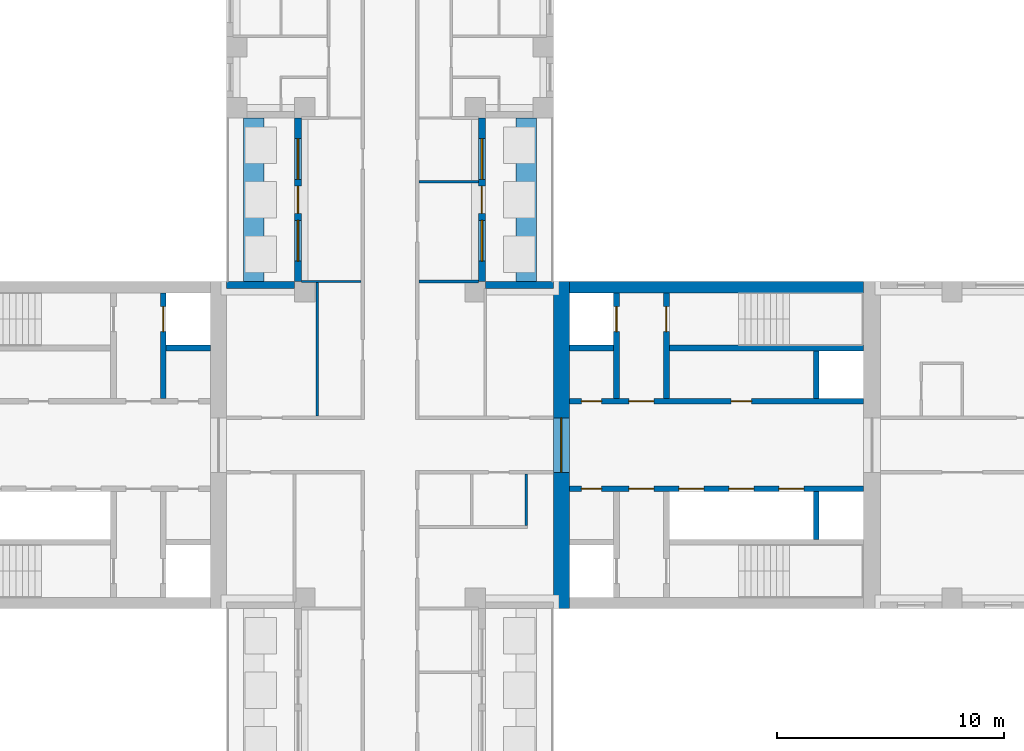
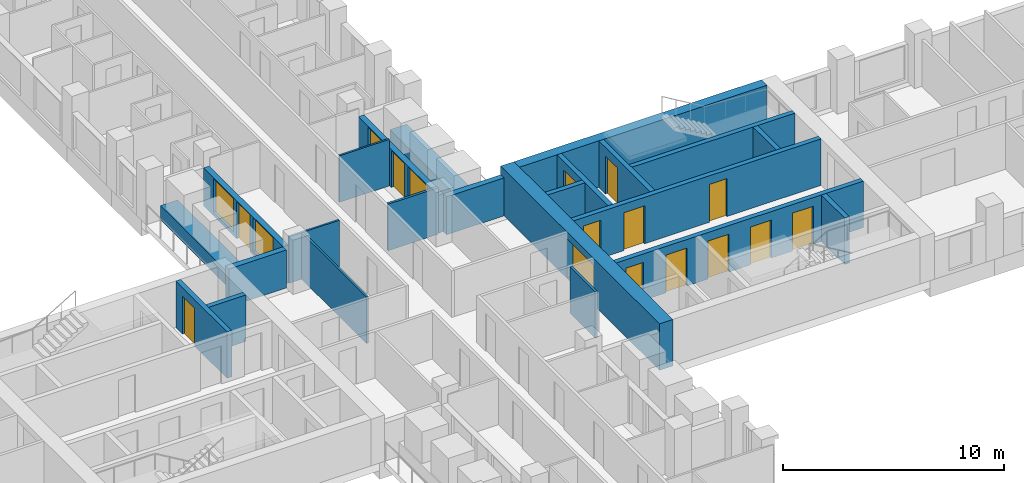
# One storey, part 8 of 15: 23 walls, 14 doors, 4 windows, 18 openings.
"""IFC4 building model written with IfcOpenShell, lengths in metres."""

from ifc_helpers import new_model, si_unit, direction, frame, frame_2d, origin, place, context, subcontext, project, spatial, rectangle, extrude, material, layer, layer_set, type_object, element, fill, save


model = new_model("IFC4")

# Units and contexts
model_context = context("Model", 3, precision=1e-05, world=origin(), true_north=direction((0.0, 1.0)))
body_context = subcontext(model_context, "Body", "Model", "MODEL_VIEW")
ifc_project = project(units=[si_unit("LENGTHUNIT", "METRE"), si_unit("AREAUNIT", "SQUARE_METRE"), si_unit("VOLUMEUNIT", "CUBIC_METRE"), si_unit("PLANEANGLEUNIT", "RADIAN"), si_unit("MASSUNIT", "GRAM", prefix="KILO")], contexts=[model_context])

# Site, building, storey
site_placement = place(None, origin())
site = spatial("IfcSite", under=ifc_project, at=site_placement, CompositionType="ELEMENT")
building_placement = place(site_placement, origin())
building = spatial("IfcBuilding", under=site, at=building_placement, Name="Fustian Cross Tower", CompositionType="ELEMENT")
storey_placement = place(building_placement, frame((0.0, 0.0, 11.699951171875)))
storey = spatial("IfcBuildingStorey", under=building, at=storey_placement, Name="L02", CompositionType="ELEMENT", Elevation=11.699951171875)

# Wall, opening, door
ifc_material_1 = material(Name="Concrete C80/95", Category="concrete")
ifc_layer_1 = layer(ifc_material_1, 0.699951171875)
ifc_layer_set_1 = layer_set([ifc_layer_1], Name="Concrete C80/95")
wall_type_1 = type_object("IfcWallType", Name="CORE END WALL 700 C80/95", PredefinedType="SHEAR", material=ifc_layer_set_1)
wall_1_placement = place(storey_placement, frame((7.550048828125, -7.199951171875, 0.0), z_axis=(0.0, 0.0, 1.0), x_axis=(0.0, 1.0, 0.0)))
wall_1 = element("IfcWall", 1, at=wall_1_placement, inside=storey, type_object=wall_type_1, Name="Core end wall", PredefinedType="SHEAR", context=body_context, shape_type="SweptSolid", body=[
    extrude(rectangle(XDim=14.39990234375, YDim=0.699951171875, at=frame_2d((7.199951171875, 0.0))), origin(), (0.0, 0.0, 1.0), 2.574951171875),
])
opening_1_placement = place(wall_1_placement, frame((6.0, 0.0, 0.0)))
opening_1 = element("IfcOpeningElement", 2, at=opening_1_placement, cuts=wall_1, Name="Opening CD-04-12", PredefinedType="OPENING", context=body_context, shape_type="SweptSolid", body=[
    extrude(rectangle(XDim=2.39990234375, YDim=2.199951171875, at=frame_2d((1.199951171875, 1.10009765625))), frame((0.0, 0.35986328125, 0.0), z_axis=(0.0, -1.0, 0.0), x_axis=(1.0, 0.0, 0.0)), (0.0, 0.0, 1.0), 0.719970703125),
])
ifc_material_2 = material(Name="Steel", Category="steel")
door_type_1 = type_object("IfcDoorType", Name="FIRE DOOR FD30S DOUBLE 2400X2200", OperationType="DOUBLE_DOOR_DOUBLE_SWING", PredefinedType="DOOR", material=ifc_material_2)
door_1_placement = place(opening_1_placement, frame((2.39990234375, 0.0, 0.0), z_axis=(0.0, 0.0, 1.0), x_axis=(-1.0, 0.0, 0.0)))
door_1 = element("IfcDoor", 3, at=door_1_placement, inside=storey, type_object=door_type_1, Name="Core door CD-04-12", OperationType="DOUBLE_DOOR_DOUBLE_SWING", OverallHeight=2.199951171875, OverallWidth=2.39990234375, PredefinedType="DOOR", context=body_context, shape_type="SweptSolid", body=[
    extrude(rectangle(XDim=2.39990234375, YDim=2.199951171875, at=frame_2d((1.199951171875, 1.10009765625))), frame((0.0, 0.02490234375, 0.0), z_axis=(0.0, -1.0, 0.0), x_axis=(1.0, 0.0, 0.0)), (0.0, 0.0, 1.0), 0.050048828125),
])
fill(opening_1, door_1)

# Wall
ifc_material_3 = material(Name="Concrete C80/95", Category="concrete")
ifc_layer_2 = layer(ifc_material_3, 0.5)
ifc_layer_set_2 = layer_set([ifc_layer_2], Name="Concrete C80/95")
wall_type_2 = type_object("IfcWallType", Name="CORE FACADE WALL 500 C80/95", PredefinedType="SHEAR", material=ifc_layer_set_2)
wall_2_placement = place(storey_placement, frame((7.89990234375, 6.949951171875, 0.0), z_axis=(0.0, 0.0, 1.0), x_axis=(1.0, 0.0, 0.0)))
element("IfcWall", 4, at=wall_2_placement, inside=storey, type_object=wall_type_2, Name="Core facade wall", PredefinedType="SHEAR", context=body_context, shape_type="SweptSolid", body=[
    extrude(rectangle(XDim=12.9501953125, YDim=0.5, at=frame_2d((6.47509765625, 0.0))), origin(), (0.0, 0.0, 1.0), 2.574951171875),
])

# Wall, openings, doors
ifc_material_4 = material(Name="Concrete C50/60", Category="concrete")
ifc_layer_3 = layer(ifc_material_4, 0.25)
ifc_layer_set_3 = layer_set([ifc_layer_3], Name="Concrete C50/60")
wall_type_3 = type_object("IfcWallType", Name="CORE LOBBY WALL 250 C50/60", PredefinedType="SHEAR", material=ifc_layer_set_3)
wall_3_placement = place(storey_placement, frame((7.89990234375, 1.925048828125, 0.0), z_axis=(0.0, 0.0, 1.0), x_axis=(1.0, 0.0, 0.0)))
wall_3 = element("IfcWall", 5, at=wall_3_placement, inside=storey, type_object=wall_type_3, Name="Core lobby wall", PredefinedType="SHEAR", context=body_context, shape_type="SweptSolid", body=[
    extrude(rectangle(XDim=12.9501953125, YDim=0.25, at=frame_2d((6.47509765625, 0.0))), origin(), (0.0, 0.0, 1.0), 2.574951171875),
])
opening_2_placement = place(wall_3_placement, frame((0.52490234375, 0.0, 0.0)))
opening_2 = element("IfcOpeningElement", 6, at=opening_2_placement, cuts=wall_3, Name="Opening CD-04-08", PredefinedType="OPENING", context=body_context, shape_type="SweptSolid", body=[
    extrude(rectangle(XDim=0.89990234375, YDim=2.10009765625, at=frame_2d((0.449951171875, 1.050048828125))), frame((0.0, 0.135009765625, 0.0), z_axis=(0.0, -1.0, 0.0), x_axis=(1.0, 0.0, 0.0)), (0.0, 0.0, 1.0), 0.27001953125),
])
opening_3_placement = place(wall_3_placement, frame((2.625, 0.0, 0.0)))
opening_3 = element("IfcOpeningElement", 7, at=opening_3_placement, cuts=wall_3, Name="Opening CD-04-10", PredefinedType="OPENING", context=body_context, shape_type="SweptSolid", body=[
    extrude(rectangle(XDim=1.10009765625, YDim=2.10009765625, at=frame_2d((0.550048828125, 1.050048828125))), frame((0.0, 0.135009765625, 0.0), z_axis=(0.0, -1.0, 0.0), x_axis=(1.0, 0.0, 0.0)), (0.0, 0.0, 1.0), 0.27001953125),
])
opening_4_placement = place(wall_3_placement, frame((7.125, 0.0, 0.0)))
opening_4 = element("IfcOpeningElement", 8, at=opening_4_placement, cuts=wall_3, Name="Opening CD-04-14", PredefinedType="OPENING", context=body_context, shape_type="SweptSolid", body=[
    extrude(rectangle(XDim=0.89990234375, YDim=2.10009765625, at=frame_2d((0.449951171875, 1.050048828125))), frame((0.0, 0.135009765625, 0.0), z_axis=(0.0, -1.0, 0.0), x_axis=(1.0, 0.0, 0.0)), (0.0, 0.0, 1.0), 0.27001953125),
])
ifc_material_5 = material(Name="Steel", Category="steel")
door_type_2 = type_object("IfcDoorType", Name="FIRE DOOR FD30S 900X2100", OperationType="SINGLE_SWING_LEFT", PredefinedType="DOOR", material=ifc_material_5)
door_2_placement = place(opening_4_placement, origin())
door_2 = element("IfcDoor", 9, at=door_2_placement, inside=storey, type_object=door_type_2, Name="Core door CD-04-14", OperationType="SINGLE_SWING_LEFT", OverallHeight=2.10009765625, OverallWidth=0.89990234375, PredefinedType="DOOR", context=body_context, shape_type="SweptSolid", body=[
    extrude(rectangle(XDim=0.89990234375, YDim=2.10009765625, at=frame_2d((0.449951171875, 1.050048828125))), frame((0.0, 0.02490234375, 0.0), z_axis=(0.0, -1.0, 0.0), x_axis=(1.0, 0.0, 0.0)), (0.0, 0.0, 1.0), 0.050048828125),
])
fill(opening_4, door_2)
ifc_material_6 = material(Name="Steel", Category="steel")
door_type_3 = type_object("IfcDoorType", Name="FIRE DOOR FD60S 1100X2100", OperationType="SINGLE_SWING_LEFT", PredefinedType="DOOR", material=ifc_material_6)
door_3_placement = place(opening_3_placement, frame((1.10009765625, 0.0, 0.0), z_axis=(0.0, 0.0, 1.0), x_axis=(-1.0, 0.0, 0.0)))
door_3 = element("IfcDoor", 10, at=door_3_placement, inside=storey, type_object=door_type_3, Name="Core door CD-04-10", OperationType="SINGLE_SWING_RIGHT", OverallHeight=2.10009765625, OverallWidth=1.10009765625, PredefinedType="DOOR", context=body_context, shape_type="SweptSolid", body=[
    extrude(rectangle(XDim=1.10009765625, YDim=2.10009765625, at=frame_2d((0.550048828125, 1.050048828125))), frame((0.0, 0.02490234375, 0.0), z_axis=(0.0, -1.0, 0.0), x_axis=(1.0, 0.0, 0.0)), (0.0, 0.0, 1.0), 0.050048828125),
])
fill(opening_3, door_3)
ifc_material_7 = material(Name="Steel", Category="steel")
door_type_4 = type_object("IfcDoorType", Name="FIRE DOOR FD60S 900X2100", OperationType="SINGLE_SWING_LEFT", PredefinedType="DOOR", material=ifc_material_7)
door_4_placement = place(opening_2_placement, origin())
door_4 = element("IfcDoor", 11, at=door_4_placement, inside=storey, type_object=door_type_4, Name="Core door CD-04-08", OperationType="SINGLE_SWING_LEFT", OverallHeight=2.10009765625, OverallWidth=0.89990234375, PredefinedType="DOOR", context=body_context, shape_type="SweptSolid", body=[
    extrude(rectangle(XDim=0.89990234375, YDim=2.10009765625, at=frame_2d((0.449951171875, 1.050048828125))), frame((0.0, 0.02490234375, 0.0), z_axis=(0.0, -1.0, 0.0), x_axis=(1.0, 0.0, 0.0)), (0.0, 0.0, 1.0), 0.050048828125),
])
fill(opening_2, door_4)

wall_4_placement = place(storey_placement, frame((7.89990234375, -1.925048828125, 0.0), z_axis=(0.0, 0.0, 1.0), x_axis=(1.0, 0.0, 0.0)))
wall_4 = element("IfcWall", 12, at=wall_4_placement, inside=storey, type_object=wall_type_3, Name="Core lobby wall", PredefinedType="SHEAR", context=body_context, shape_type="SweptSolid", body=[
    extrude(rectangle(XDim=12.9501953125, YDim=0.25, at=frame_2d((6.47509765625, 0.0))), origin(), (0.0, 0.0, 1.0), 2.574951171875),
])
opening_5_placement = place(wall_4_placement, frame((4.824951171875, 0.0, 0.0)))
opening_5 = element("IfcOpeningElement", 13, at=opening_5_placement, cuts=wall_4, Name="Opening LD", PredefinedType="OPENING", context=body_context, shape_type="SweptSolid", body=[
    extrude(rectangle(XDim=1.10009765625, YDim=2.10009765625, at=frame_2d((0.550048828125, 1.050048828125))), frame((0.0, 0.135009765625, 0.0), z_axis=(0.0, -1.0, 0.0), x_axis=(1.0, 0.0, 0.0)), (0.0, 0.0, 1.0), 0.27001953125),
])
opening_6_placement = place(wall_4_placement, frame((7.02490234375, 0.0, 0.0)))
opening_6 = element("IfcOpeningElement", 14, at=opening_6_placement, cuts=wall_4, Name="Opening LD", PredefinedType="OPENING", context=body_context, shape_type="SweptSolid", body=[
    extrude(rectangle(XDim=1.10009765625, YDim=2.10009765625, at=frame_2d((0.550048828125, 1.050048828125))), frame((0.0, 0.135009765625, 0.0), z_axis=(0.0, -1.0, 0.0), x_axis=(1.0, 0.0, 0.0)), (0.0, 0.0, 1.0), 0.27001953125),
])
opening_7_placement = place(wall_4_placement, frame((9.22509765625, 0.0, 0.0)))
opening_7 = element("IfcOpeningElement", 15, at=opening_7_placement, cuts=wall_4, Name="Opening LD", PredefinedType="OPENING", context=body_context, shape_type="SweptSolid", body=[
    extrude(rectangle(XDim=1.10009765625, YDim=2.10009765625, at=frame_2d((0.550048828125, 1.050048828125))), frame((0.0, 0.135009765625, 0.0), z_axis=(0.0, -1.0, 0.0), x_axis=(1.0, 0.0, 0.0)), (0.0, 0.0, 1.0), 0.27001953125),
])
opening_8_placement = place(wall_4_placement, frame((0.52490234375, 0.0, 0.0)))
opening_8 = element("IfcOpeningElement", 16, at=opening_8_placement, cuts=wall_4, Name="Opening CD-04-09", PredefinedType="OPENING", context=body_context, shape_type="SweptSolid", body=[
    extrude(rectangle(XDim=0.89990234375, YDim=2.10009765625, at=frame_2d((0.449951171875, 1.050048828125))), frame((0.0, 0.135009765625, 0.0), z_axis=(0.0, -1.0, 0.0), x_axis=(1.0, 0.0, 0.0)), (0.0, 0.0, 1.0), 0.27001953125),
])
opening_9_placement = place(wall_4_placement, frame((2.625, 0.0, 0.0)))
opening_9 = element("IfcOpeningElement", 17, at=opening_9_placement, cuts=wall_4, Name="Opening CD-04-11", PredefinedType="OPENING", context=body_context, shape_type="SweptSolid", body=[
    extrude(rectangle(XDim=1.10009765625, YDim=2.10009765625, at=frame_2d((0.550048828125, 1.050048828125))), frame((0.0, 0.135009765625, 0.0), z_axis=(0.0, -1.0, 0.0), x_axis=(1.0, 0.0, 0.0)), (0.0, 0.0, 1.0), 0.27001953125),
])
ifc_material_8 = material(Name="Steel", Category="steel")
door_type_5 = type_object("IfcDoorType", Name="FIRE DOOR FD30S 1100X2100", OperationType="SINGLE_SWING_LEFT", PredefinedType="DOOR", material=ifc_material_8)
door_5_placement = place(opening_9_placement, frame((1.10009765625, 0.0, 0.0), z_axis=(0.0, 0.0, 1.0), x_axis=(-1.0, 0.0, 0.0)))
door_5 = element("IfcDoor", 18, at=door_5_placement, inside=storey, type_object=door_type_5, Name="Core door CD-04-11", OperationType="SINGLE_SWING_RIGHT", OverallHeight=2.10009765625, OverallWidth=1.10009765625, PredefinedType="DOOR", context=body_context, shape_type="SweptSolid", body=[
    extrude(rectangle(XDim=1.10009765625, YDim=2.10009765625, at=frame_2d((0.550048828125, 1.050048828125))), frame((0.0, 0.02490234375, 0.0), z_axis=(0.0, -1.0, 0.0), x_axis=(1.0, 0.0, 0.0)), (0.0, 0.0, 1.0), 0.050048828125),
])
fill(opening_9, door_5)
door_6_placement = place(opening_8_placement, frame((0.89990234375, 0.0, 0.0), z_axis=(0.0, 0.0, 1.0), x_axis=(-1.0, 0.0, 0.0)))
door_6 = element("IfcDoor", 19, at=door_6_placement, inside=storey, type_object=door_type_2, Name="Core door CD-04-09", OperationType="SINGLE_SWING_RIGHT", OverallHeight=2.10009765625, OverallWidth=0.89990234375, PredefinedType="DOOR", context=body_context, shape_type="SweptSolid", body=[
    extrude(rectangle(XDim=0.89990234375, YDim=2.10009765625, at=frame_2d((0.449951171875, 1.050048828125))), frame((0.0, 0.02490234375, 0.0), z_axis=(0.0, -1.0, 0.0), x_axis=(1.0, 0.0, 0.0)), (0.0, 0.0, 1.0), 0.050048828125),
])
fill(opening_8, door_6)
ifc_material_9 = material(Name="Stainless steel", Category="steel")
door_type_6 = type_object("IfcDoorType", Name="LIFT LANDING DOOR 1100X2100", OperationType="SLIDING_TO_LEFT", PredefinedType="DOOR", material=ifc_material_9)
door_7_placement = place(opening_5_placement, origin())
door_7 = element("IfcDoor", 20, at=door_7_placement, inside=storey, type_object=door_type_6, Name="Landing door LR1", OperationType="SLIDING_TO_LEFT", OverallHeight=2.10009765625, OverallWidth=1.10009765625, PredefinedType="DOOR", context=body_context, shape_type="SweptSolid", body=[
    extrude(rectangle(XDim=1.10009765625, YDim=2.10009765625, at=frame_2d((0.550048828125, 1.050048828125))), frame((0.0, 0.02490234375, 0.0), z_axis=(0.0, -1.0, 0.0), x_axis=(1.0, 0.0, 0.0)), (0.0, 0.0, 1.0), 0.050048828125),
])
fill(opening_5, door_7)
door_8_placement = place(opening_6_placement, origin())
door_8 = element("IfcDoor", 21, at=door_8_placement, inside=storey, type_object=door_type_6, Name="Landing door LR2", OperationType="SLIDING_TO_LEFT", OverallHeight=2.10009765625, OverallWidth=1.10009765625, PredefinedType="DOOR", context=body_context, shape_type="SweptSolid", body=[
    extrude(rectangle(XDim=1.10009765625, YDim=2.10009765625, at=frame_2d((0.550048828125, 1.050048828125))), frame((0.0, 0.02490234375, 0.0), z_axis=(0.0, -1.0, 0.0), x_axis=(1.0, 0.0, 0.0)), (0.0, 0.0, 1.0), 0.050048828125),
])
fill(opening_6, door_8)
door_9_placement = place(opening_7_placement, origin())
door_9 = element("IfcDoor", 22, at=door_9_placement, inside=storey, type_object=door_type_6, Name="Landing door LR3", OperationType="SLIDING_TO_LEFT", OverallHeight=2.10009765625, OverallWidth=1.10009765625, PredefinedType="DOOR", context=body_context, shape_type="SweptSolid", body=[
    extrude(rectangle(XDim=1.10009765625, YDim=2.10009765625, at=frame_2d((0.550048828125, 1.050048828125))), frame((0.0, 0.02490234375, 0.0), z_axis=(0.0, -1.0, 0.0), x_axis=(1.0, 0.0, 0.0)), (0.0, 0.0, 1.0), 0.050048828125),
])
fill(opening_7, door_9)

# Walls
ifc_material_10 = material(Name="Concrete C50/60", Category="concrete")
ifc_layer_4 = layer(ifc_material_10, 0.25)
ifc_layer_set_4 = layer_set([ifc_layer_4], Name="Concrete C50/60")
wall_type_4 = type_object("IfcWallType", Name="CORE SHAFT WALL 250 C50/60", PredefinedType="SHEAR", material=ifc_layer_set_4)
wall_5_placement = place(storey_placement, frame((7.89990234375, 4.27490234375, 0.0), z_axis=(0.0, 0.0, 1.0), x_axis=(1.0, 0.0, 0.0)))
element("IfcWall", 23, at=wall_5_placement, inside=storey, type_object=wall_type_4, Name="Core shaft wall", PredefinedType="SHEAR", context=body_context, shape_type="SweptSolid", body=[
    extrude(rectangle(XDim=1.9501953125, YDim=0.25, at=frame_2d((0.97509765625, 0.0))), origin(), (0.0, 0.0, 1.0), 2.574951171875),
])
wall_6_placement = place(storey_placement, frame((12.300048828125, 4.27490234375, 0.0), z_axis=(0.0, 0.0, 1.0), x_axis=(1.0, 0.0, 0.0)))
element("IfcWall", 24, at=wall_6_placement, inside=storey, type_object=wall_type_4, Name="Core shaft wall", PredefinedType="SHEAR", context=body_context, shape_type="SweptSolid", body=[
    extrude(rectangle(XDim=8.550048828125, YDim=0.25, at=frame_2d((4.27490234375, 0.0))), origin(), (0.0, 0.0, 1.0), 2.574951171875),
])

# Wall, opening, door
wall_7_placement = place(storey_placement, frame((9.97509765625, 2.050048828125, 0.0), z_axis=(0.0, 0.0, 1.0), x_axis=(0.0, 1.0, 0.0)))
wall_7 = element("IfcWall", 25, at=wall_7_placement, inside=storey, type_object=wall_type_4, Name="Core shaft wall", PredefinedType="SHEAR", context=body_context, shape_type="SweptSolid", body=[
    extrude(rectangle(XDim=4.64990234375, YDim=0.25, at=frame_2d((2.324951171875, 0.0))), origin(), (0.0, 0.0, 1.0), 2.574951171875),
])
opening_10_placement = place(wall_7_placement, frame((2.949951171875, 0.0, 0.0)))
opening_10 = element("IfcOpeningElement", 26, at=opening_10_placement, cuts=wall_7, Name="Opening LD", PredefinedType="OPENING", context=body_context, shape_type="SweptSolid", body=[
    extrude(rectangle(XDim=1.10009765625, YDim=2.10009765625, at=frame_2d((0.550048828125, 1.050048828125))), frame((0.0, 0.135009765625, 0.0), z_axis=(0.0, -1.0, 0.0), x_axis=(1.0, 0.0, 0.0)), (0.0, 0.0, 1.0), 0.27001953125),
])
door_10_placement = place(opening_10_placement, origin())
door_10 = element("IfcDoor", 27, at=door_10_placement, inside=storey, type_object=door_type_6, Name="Landing door FL1", OperationType="SLIDING_TO_LEFT", OverallHeight=2.10009765625, OverallWidth=1.10009765625, PredefinedType="DOOR", context=body_context, shape_type="SweptSolid", body=[
    extrude(rectangle(XDim=1.10009765625, YDim=2.10009765625, at=frame_2d((0.550048828125, 1.050048828125))), frame((0.0, 0.02490234375, 0.0), z_axis=(0.0, -1.0, 0.0), x_axis=(1.0, 0.0, 0.0)), (0.0, 0.0, 1.0), 0.050048828125),
])
fill(opening_10, door_10)

wall_8_placement = place(storey_placement, frame((12.175048828125, 2.050048828125, 0.0), z_axis=(0.0, 0.0, 1.0), x_axis=(0.0, 1.0, 0.0)))
wall_8 = element("IfcWall", 28, at=wall_8_placement, inside=storey, type_object=wall_type_4, Name="Core shaft wall", PredefinedType="SHEAR", context=body_context, shape_type="SweptSolid", body=[
    extrude(rectangle(XDim=4.64990234375, YDim=0.25, at=frame_2d((2.324951171875, 0.0))), origin(), (0.0, 0.0, 1.0), 2.574951171875),
])
opening_11_placement = place(wall_8_placement, frame((2.949951171875, 0.0, 0.0)))
opening_11 = element("IfcOpeningElement", 29, at=opening_11_placement, cuts=wall_8, Name="Opening CD-04-06", PredefinedType="OPENING", context=body_context, shape_type="SweptSolid", body=[
    extrude(rectangle(XDim=1.10009765625, YDim=2.10009765625, at=frame_2d((0.550048828125, 1.050048828125))), frame((0.0, 0.135009765625, 0.0), z_axis=(0.0, -1.0, 0.0), x_axis=(1.0, 0.0, 0.0)), (0.0, 0.0, 1.0), 0.27001953125),
])
door_11_placement = place(opening_11_placement, frame((1.10009765625, 0.0, 0.0), z_axis=(0.0, 0.0, 1.0), x_axis=(-1.0, 0.0, 0.0)))
door_11 = element("IfcDoor", 30, at=door_11_placement, inside=storey, type_object=door_type_3, Name="Core door CD-04-06", OperationType="SINGLE_SWING_RIGHT", OverallHeight=2.10009765625, OverallWidth=1.10009765625, PredefinedType="DOOR", context=body_context, shape_type="SweptSolid", body=[
    extrude(rectangle(XDim=1.10009765625, YDim=2.10009765625, at=frame_2d((0.550048828125, 1.050048828125))), frame((0.0, 0.02490234375, 0.0), z_axis=(0.0, -1.0, 0.0), x_axis=(1.0, 0.0, 0.0)), (0.0, 0.0, 1.0), 0.050048828125),
])
fill(opening_11, door_11)

# Wall
wall_9_placement = place(storey_placement, frame((-7.89990234375, 4.27490234375, 0.0), z_axis=(0.0, 0.0, 1.0), x_axis=(-1.0, 0.0, 0.0)))
element("IfcWall", 31, at=wall_9_placement, inside=storey, type_object=wall_type_4, Name="Core shaft wall", PredefinedType="SHEAR", context=body_context, shape_type="SweptSolid", body=[
    extrude(rectangle(XDim=1.9501953125, YDim=0.25, at=frame_2d((0.97509765625, 0.0))), origin(), (0.0, 0.0, 1.0), 2.574951171875),
])

# Wall, opening, door
wall_10_placement = place(storey_placement, frame((-9.97509765625, 2.050048828125, 0.0), z_axis=(0.0, 0.0, 1.0), x_axis=(0.0, 1.0, 0.0)))
wall_10 = element("IfcWall", 32, at=wall_10_placement, inside=storey, type_object=wall_type_4, Name="Core shaft wall", PredefinedType="SHEAR", context=body_context, shape_type="SweptSolid", body=[
    extrude(rectangle(XDim=4.64990234375, YDim=0.25, at=frame_2d((2.324951171875, 0.0))), origin(), (0.0, 0.0, 1.0), 2.574951171875),
])
opening_12_placement = place(wall_10_placement, frame((2.949951171875, 0.0, 0.0)))
opening_12 = element("IfcOpeningElement", 33, at=opening_12_placement, cuts=wall_10, Name="Opening LD", PredefinedType="OPENING", context=body_context, shape_type="SweptSolid", body=[
    extrude(rectangle(XDim=1.10009765625, YDim=2.10009765625, at=frame_2d((0.550048828125, 1.050048828125))), frame((0.0, 0.135009765625, 0.0), z_axis=(0.0, -1.0, 0.0), x_axis=(1.0, 0.0, 0.0)), (0.0, 0.0, 1.0), 0.27001953125),
])
door_12_placement = place(opening_12_placement, origin())
door_12 = element("IfcDoor", 34, at=door_12_placement, inside=storey, type_object=door_type_6, Name="Landing door FL1W", OperationType="SLIDING_TO_LEFT", OverallHeight=2.10009765625, OverallWidth=1.10009765625, PredefinedType="DOOR", context=body_context, shape_type="SweptSolid", body=[
    extrude(rectangle(XDim=1.10009765625, YDim=2.10009765625, at=frame_2d((0.550048828125, 1.050048828125))), frame((0.0, 0.02490234375, 0.0), z_axis=(0.0, -1.0, 0.0), x_axis=(1.0, 0.0, 0.0)), (0.0, 0.0, 1.0), 0.050048828125),
])
fill(opening_12, door_12)

# Walls
ifc_material_11 = material(Name="Plasterboard on steel stud", Category="steel")
ifc_layer_5 = layer(ifc_material_11, 0.10009765625)
ifc_layer_set_5 = layer_set([ifc_layer_5], Name="Plasterboard on steel stud")
wall_type_5 = type_object("IfcWallType", Name="PARTITION 100 STUD", PredefinedType="PARTITIONING", material=ifc_layer_set_5)
wall_11_placement = place(storey_placement, frame((-3.89990234375, 7.199951171875, 0.0), z_axis=(0.0, 0.0, 1.0), x_axis=(1.0, 0.0, 0.0)))
element("IfcWall", 35, at=wall_11_placement, inside=storey, type_object=wall_type_5, Name="Partition 47", PredefinedType="PARTITIONING", context=body_context, shape_type="SweptSolid", body=[
    extrude(rectangle(XDim=2.625, YDim=0.10009765625, at=frame_2d((1.3125, 0.0))), origin(), (0.0, 0.0, 1.0), 2.574951171875),
])
wall_12_placement = place(storey_placement, frame((-3.199951171875, 1.27490234375, 0.0), z_axis=(0.0, 0.0, 1.0), x_axis=(0.0, 1.0, 0.0)))
element("IfcWall", 36, at=wall_12_placement, inside=storey, type_object=wall_type_5, Name="Partition 49", PredefinedType="PARTITIONING", context=body_context, shape_type="SweptSolid", body=[
    extrude(rectangle(XDim=5.875, YDim=0.10009765625, at=frame_2d((2.9375, 0.0))), origin(), (0.0, 0.0, 1.0), 2.574951171875),
])
wall_13_placement = place(storey_placement, frame((1.27490234375, 11.60009765625, 0.0), z_axis=(0.0, 0.0, 1.0), x_axis=(1.0, 0.0, 0.0)))
element("IfcWall", 37, at=wall_13_placement, inside=storey, type_object=wall_type_5, Name="Partition 67", PredefinedType="PARTITIONING", context=body_context, shape_type="SweptSolid", body=[
    extrude(rectangle(XDim=2.625, YDim=0.10009765625, at=frame_2d((1.3125, 0.0))), origin(), (0.0, 0.0, 1.0), 2.574951171875),
])
ifc_material_12 = material(Name="Concrete C40/50", Category="concrete")
ifc_layer_6 = layer(ifc_material_12, 0.89990234375)
ifc_layer_set_6 = layer_set([ifc_layer_6], Name="Concrete C40/50")
wall_type_6 = type_object("IfcWallType", Name="PK1 PLANTER 900", PredefinedType="PARAPET", material=ifc_layer_set_6)
for number, where, z_axis, x_axis, name in (
    (38, (6.0, 7.199951171875, 0.0), (0.0, 0.0, 1.0), (0.0, 1.0, 0.0), "PLANTER"),
    (39, (-6.0, 7.199951171875, 0.0), (0.0, 0.0, 1.0), (0.0, 1.0, 0.0), "PLANTER"),
):
    element("IfcWall", number, at=place(storey_placement, frame(where, z_axis=z_axis, x_axis=x_axis)), inside=storey, type_object=wall_type_6, Name=name, PredefinedType="PARAPET", context=body_context, shape_type="SweptSolid", body=[
        extrude(rectangle(XDim=7.199951171875, YDim=0.89990234375, at=frame_2d((3.60009765625, 0.0))), origin(), (0.0, 0.0, 1.0), 0.800048828125),
    ])
ifc_material_13 = material(Name="Concrete C40/50", Category="concrete")
ifc_layer_7 = layer(ifc_material_13, 0.25)
ifc_layer_set_7 = layer_set([ifc_layer_7], Name="Concrete C40/50")
wall_type_7 = type_object("IfcWallType", Name="SHAFT PARTITION WALL 250 C40/50", PredefinedType="PARTITIONING", material=ifc_layer_set_7)
for number, where, z_axis, x_axis, name in (
    (40, (18.77490234375, 2.050048828125, 0.0), (0.0, 0.0, 1.0), (0.0, 1.0, 0.0), "Core shaft wall"),
    (41, (18.77490234375, -2.050048828125, 0.0), (0.0, 0.0, 1.0), (0.0, -1.0, 0.0), "Core shaft wall"),
):
    element("IfcWall", number, at=place(storey_placement, frame(where, z_axis=z_axis, x_axis=x_axis)), inside=storey, type_object=wall_type_7, Name=name, PredefinedType="PARTITIONING", context=body_context, shape_type="SweptSolid", body=[
        extrude(rectangle(XDim=2.099853515625, YDim=0.25, at=frame_2d((1.0498046875, 0.0))), origin(), (0.0, 0.0, 1.0), 2.574951171875),
    ])
ifc_material_14 = material(Name="Plasterboard on steel stud", Category="steel")
ifc_layer_8 = layer(ifc_material_14, 0.125)
ifc_layer_set_8 = layer_set([ifc_layer_8], Name="Plasterboard on steel stud")
wall_type_8 = type_object("IfcWallType", Name="WET WALL 125 STUD", PredefinedType="PARTITIONING", material=ifc_layer_set_8)
wall_14_placement = place(storey_placement, frame((1.27490234375, 7.199951171875, 0.0), z_axis=(0.0, 0.0, 1.0), x_axis=(1.0, 0.0, 0.0)))
element("IfcWall", 42, at=wall_14_placement, inside=storey, type_object=wall_type_8, Name="Partition 66", PredefinedType="PARTITIONING", context=body_context, shape_type="SweptSolid", body=[
    extrude(rectangle(XDim=2.625, YDim=0.125, at=frame_2d((1.3125, 0.0))), origin(), (0.0, 0.0, 1.0), 2.574951171875),
])
wall_15_placement = place(storey_placement, frame((6.0, -3.53759765625, 0.0), z_axis=(0.0, 0.0, 1.0), x_axis=(0.0, 1.0, 0.0)))
element("IfcWall", 43, at=wall_15_placement, inside=storey, type_object=wall_type_8, Name="Partition 98", PredefinedType="PARTITIONING", context=body_context, shape_type="SweptSolid", body=[
    extrude(rectangle(XDim=2.2626953125, YDim=0.125, at=frame_2d((1.13134765625, 0.0))), origin(), (0.0, 0.0, 1.0), 2.574951171875),
])
ifc_material_15 = material(Name="Dark aluminium cladding on insulated backing wall", Category="aluminium")
ifc_layer_9 = layer(ifc_material_15, 0.300048828125)
ifc_layer_set_9 = layer_set([ifc_layer_9], Name="Dark aluminium cladding on insulated backing wall")
wall_type_9 = type_object("IfcWallType", Name="XW1 EXTERNAL WALL 300", PredefinedType="SOLIDWALL", material=ifc_layer_set_9)
wall_16_placement = place(storey_placement, frame((7.199951171875, 7.050048828125, 0.0), z_axis=(0.0, 0.0, 1.0), x_axis=(-1.0, 0.0, 0.0)))
element("IfcWall", 44, at=wall_16_placement, inside=storey, type_object=wall_type_9, Name="External wall", PredefinedType="SOLIDWALL", context=body_context, shape_type="SweptSolid", body=[
    extrude(rectangle(XDim=3.0, YDim=0.300048828125, at=frame_2d((1.5, 0.0))), origin(), (0.0, 0.0, 1.0), 2.10009765625),
])

# Wall, openings, door, windows
wall_17_placement = place(storey_placement, frame((4.050048828125, 7.199951171875, 0.0), z_axis=(0.0, 0.0, 1.0), x_axis=(0.0, 1.0, 0.0)))
wall_17 = element("IfcWall", 45, at=wall_17_placement, inside=storey, type_object=wall_type_9, Name="External wall", PredefinedType="SOLIDWALL", context=body_context, shape_type="SweptSolid", body=[
    extrude(rectangle(XDim=7.199951171875, YDim=0.300048828125, at=frame_2d((3.60009765625, 0.0))), origin(), (0.0, 0.0, 1.0), 2.10009765625),
])
opening_13_placement = place(wall_17_placement, frame((3.0, 0.0, 0.0)))
opening_13 = element("IfcOpeningElement", 46, at=opening_13_placement, cuts=wall_17, Name="Opening XD1", PredefinedType="OPENING", context=body_context, shape_type="SweptSolid", body=[
    extrude(rectangle(XDim=1.199951171875, YDim=2.050048828125, at=frame_2d((0.60009765625, 1.02490234375))), frame((0.0, 0.159912109375, 0.0), z_axis=(0.0, -1.0, 0.0), x_axis=(1.0, 0.0, 0.0)), (0.0, 0.0, 1.0), 0.320068359375),
])
opening_14_placement = place(wall_17_placement, frame((0.89990234375, 0.0, 0.199951171875)))
opening_14 = element("IfcOpeningElement", 47, at=opening_14_placement, cuts=wall_17, Name="Opening WN2", PredefinedType="OPENING", context=body_context, shape_type="SweptSolid", body=[
    extrude(rectangle(XDim=1.800048828125, YDim=1.85009765625, at=frame_2d((0.89990234375, 0.925048828125))), frame((0.0, 0.159912109375, 0.0), z_axis=(0.0, -1.0, 0.0), x_axis=(1.0, 0.0, 0.0)), (0.0, 0.0, 1.0), 0.320068359375),
])
opening_15_placement = place(wall_17_placement, frame((4.5, 0.0, 0.199951171875)))
opening_15 = element("IfcOpeningElement", 48, at=opening_15_placement, cuts=wall_17, Name="Opening WN2", PredefinedType="OPENING", context=body_context, shape_type="SweptSolid", body=[
    extrude(rectangle(XDim=1.800048828125, YDim=1.85009765625, at=frame_2d((0.89990234375, 0.925048828125))), frame((0.0, 0.159912109375, 0.0), z_axis=(0.0, -1.0, 0.0), x_axis=(1.0, 0.0, 0.0)), (0.0, 0.0, 1.0), 0.320068359375),
])
ifc_material_16 = material(Name="Dark anodised aluminium and double glazing", Category="aluminium")
door_type_7 = type_object("IfcDoorType", Name="ED1 BALCONY DOOR 1200X2050", OperationType="SINGLE_SWING_LEFT", PredefinedType="DOOR", material=ifc_material_16)
door_13_placement = place(opening_13_placement, origin())
door_13 = element("IfcDoor", 49, at=door_13_placement, inside=storey, type_object=door_type_7, Name="Balcony door", OperationType="SINGLE_SWING_LEFT", OverallHeight=2.050048828125, OverallWidth=1.199951171875, PredefinedType="DOOR", context=body_context, shape_type="SweptSolid", body=[
    extrude(rectangle(XDim=1.199951171875, YDim=2.050048828125, at=frame_2d((0.60009765625, 1.02490234375))), frame((0.0, 0.02490234375, 0.0), z_axis=(0.0, -1.0, 0.0), x_axis=(1.0, 0.0, 0.0)), (0.0, 0.0, 1.0), 0.050048828125),
])
fill(opening_13, door_13)
ifc_material_17 = material(Name="Dark anodised aluminium and double glazing", Category="aluminium")
window_type = type_object("IfcWindowType", Name="WN2 WINDOW 1800X1850", PartitioningType="SINGLE_PANEL", PredefinedType="WINDOW", material=ifc_material_17)
window_1_placement = place(opening_14_placement, origin())
window_1 = element("IfcWindow", 50, at=window_1_placement, inside=storey, type_object=window_type, Name="Window", OverallHeight=1.85009765625, OverallWidth=1.800048828125, PartitioningType="SINGLE_PANEL", PredefinedType="WINDOW", context=body_context, shape_type="SweptSolid", body=[
    extrude(rectangle(XDim=1.800048828125, YDim=1.85009765625, at=frame_2d((0.89990234375, 0.925048828125))), frame((0.0, 0.030029296875, 0.0), z_axis=(0.0, -1.0, 0.0), x_axis=(1.0, 0.0, 0.0)), (0.0, 0.0, 1.0), 0.06005859375),
])
fill(opening_14, window_1)
window_2_placement = place(opening_15_placement, origin())
window_2 = element("IfcWindow", 51, at=window_2_placement, inside=storey, type_object=window_type, Name="Window", OverallHeight=1.85009765625, OverallWidth=1.800048828125, PartitioningType="SINGLE_PANEL", PredefinedType="WINDOW", context=body_context, shape_type="SweptSolid", body=[
    extrude(rectangle(XDim=1.800048828125, YDim=1.85009765625, at=frame_2d((0.89990234375, 0.925048828125))), frame((0.0, 0.030029296875, 0.0), z_axis=(0.0, -1.0, 0.0), x_axis=(1.0, 0.0, 0.0)), (0.0, 0.0, 1.0), 0.06005859375),
])
fill(opening_15, window_2)

wall_18_placement = place(storey_placement, frame((-4.050048828125, 14.39990234375, 0.0), z_axis=(0.0, 0.0, 1.0), x_axis=(0.0, -1.0, 0.0)))
wall_18 = element("IfcWall", 52, at=wall_18_placement, inside=storey, type_object=wall_type_9, Name="External wall", PredefinedType="SOLIDWALL", context=body_context, shape_type="SweptSolid", body=[
    extrude(rectangle(XDim=7.199951171875, YDim=0.300048828125, at=frame_2d((3.60009765625, 0.0))), origin(), (0.0, 0.0, 1.0), 2.10009765625),
])
opening_16_placement = place(wall_18_placement, frame((3.0, 0.0, 0.0)))
opening_16 = element("IfcOpeningElement", 53, at=opening_16_placement, cuts=wall_18, Name="Opening XD2", PredefinedType="OPENING", context=body_context, shape_type="SweptSolid", body=[
    extrude(rectangle(XDim=1.199951171875, YDim=2.050048828125, at=frame_2d((0.60009765625, 1.02490234375))), frame((0.0, 0.159912109375, 0.0), z_axis=(0.0, -1.0, 0.0), x_axis=(1.0, 0.0, 0.0)), (0.0, 0.0, 1.0), 0.320068359375),
])
opening_17_placement = place(wall_18_placement, frame((0.89990234375, 0.0, 0.199951171875)))
opening_17 = element("IfcOpeningElement", 54, at=opening_17_placement, cuts=wall_18, Name="Opening WN2", PredefinedType="OPENING", context=body_context, shape_type="SweptSolid", body=[
    extrude(rectangle(XDim=1.800048828125, YDim=1.85009765625, at=frame_2d((0.89990234375, 0.925048828125))), frame((0.0, 0.159912109375, 0.0), z_axis=(0.0, -1.0, 0.0), x_axis=(1.0, 0.0, 0.0)), (0.0, 0.0, 1.0), 0.320068359375),
])
opening_18_placement = place(wall_18_placement, frame((4.5, 0.0, 0.199951171875)))
opening_18 = element("IfcOpeningElement", 55, at=opening_18_placement, cuts=wall_18, Name="Opening WN2", PredefinedType="OPENING", context=body_context, shape_type="SweptSolid", body=[
    extrude(rectangle(XDim=1.800048828125, YDim=1.85009765625, at=frame_2d((0.89990234375, 0.925048828125))), frame((0.0, 0.159912109375, 0.0), z_axis=(0.0, -1.0, 0.0), x_axis=(1.0, 0.0, 0.0)), (0.0, 0.0, 1.0), 0.320068359375),
])
door_14_placement = place(opening_16_placement, origin())
door_14 = element("IfcDoor", 56, at=door_14_placement, inside=storey, type_object=door_type_7, Name="Balcony door", OperationType="SINGLE_SWING_LEFT", OverallHeight=2.050048828125, OverallWidth=1.199951171875, PredefinedType="DOOR", context=body_context, shape_type="SweptSolid", body=[
    extrude(rectangle(XDim=1.199951171875, YDim=2.050048828125, at=frame_2d((0.60009765625, 1.02490234375))), frame((0.0, 0.02490234375, 0.0), z_axis=(0.0, -1.0, 0.0), x_axis=(1.0, 0.0, 0.0)), (0.0, 0.0, 1.0), 0.050048828125),
])
fill(opening_16, door_14)
window_3_placement = place(opening_17_placement, origin())
window_3 = element("IfcWindow", 57, at=window_3_placement, inside=storey, type_object=window_type, Name="Window", OverallHeight=1.85009765625, OverallWidth=1.800048828125, PartitioningType="SINGLE_PANEL", PredefinedType="WINDOW", context=body_context, shape_type="SweptSolid", body=[
    extrude(rectangle(XDim=1.800048828125, YDim=1.85009765625, at=frame_2d((0.89990234375, 0.925048828125))), frame((0.0, 0.030029296875, 0.0), z_axis=(0.0, -1.0, 0.0), x_axis=(1.0, 0.0, 0.0)), (0.0, 0.0, 1.0), 0.06005859375),
])
fill(opening_17, window_3)
window_4_placement = place(opening_18_placement, origin())
window_4 = element("IfcWindow", 58, at=window_4_placement, inside=storey, type_object=window_type, Name="Window", OverallHeight=1.85009765625, OverallWidth=1.800048828125, PartitioningType="SINGLE_PANEL", PredefinedType="WINDOW", context=body_context, shape_type="SweptSolid", body=[
    extrude(rectangle(XDim=1.800048828125, YDim=1.85009765625, at=frame_2d((0.89990234375, 0.925048828125))), frame((0.0, 0.030029296875, 0.0), z_axis=(0.0, -1.0, 0.0), x_axis=(1.0, 0.0, 0.0)), (0.0, 0.0, 1.0), 0.06005859375),
])
fill(opening_18, window_4)

# Wall
wall_19_placement = place(storey_placement, frame((-4.199951171875, 7.050048828125, 0.0), z_axis=(0.0, 0.0, 1.0), x_axis=(-1.0, 0.0, 0.0)))
element("IfcWall", 59, at=wall_19_placement, inside=storey, type_object=wall_type_9, Name="External wall", PredefinedType="SOLIDWALL", context=body_context, shape_type="SweptSolid", body=[
    extrude(rectangle(XDim=3.0, YDim=0.300048828125, at=frame_2d((1.5, 0.0))), origin(), (0.0, 0.0, 1.0), 2.10009765625),
])

save(model, "model.ifc")
